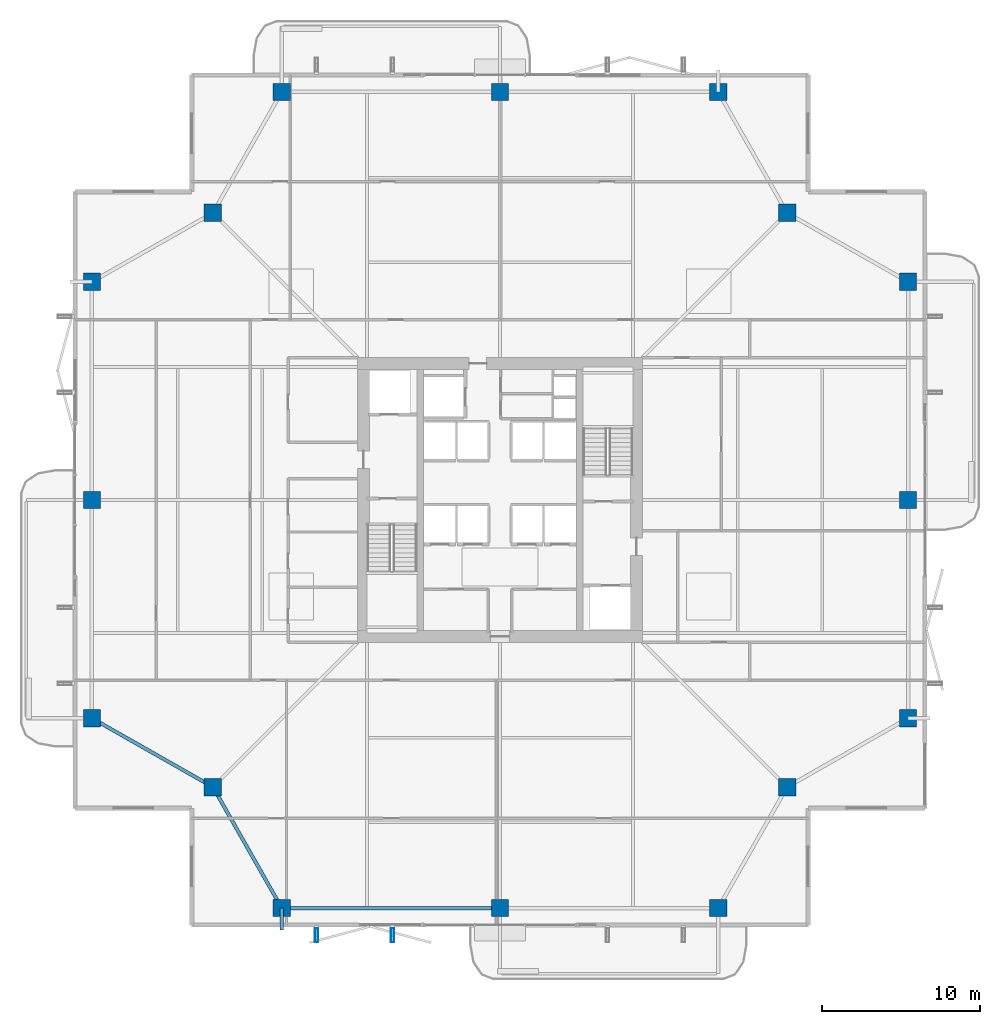
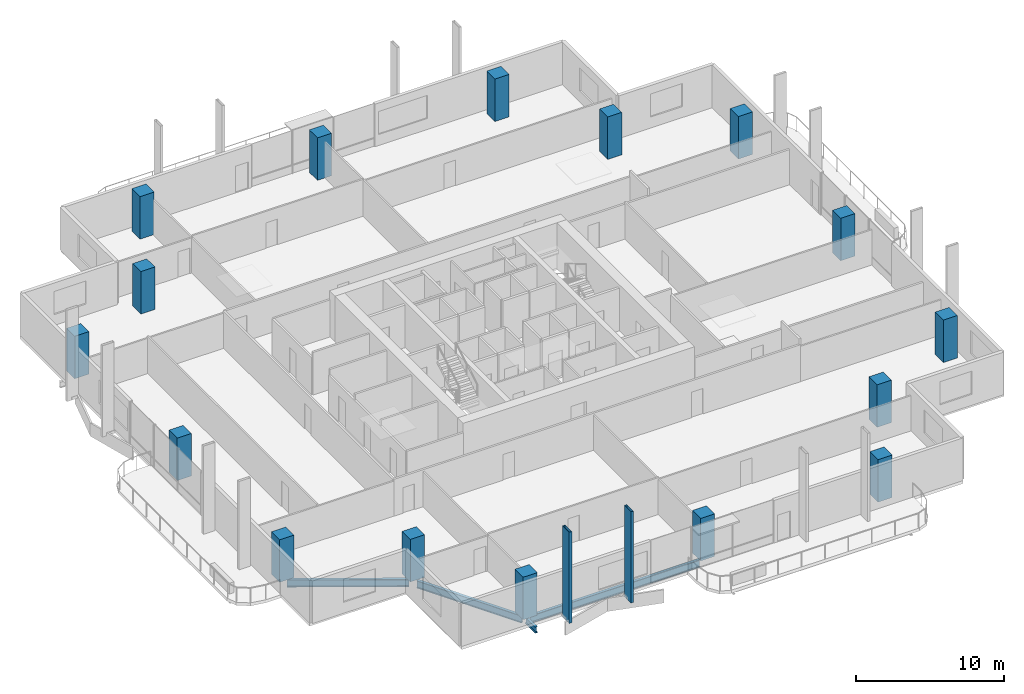
# One storey, part 1 of 24: 16 columns, 4 beams, 2 members.
"""IFC4 building model written with IfcOpenShell, lengths in metres."""

from ifc_helpers import new_model, si_unit, direction, frame, origin, origin_2d, place, context, subcontext, project, spatial, rectangle, hollow_rectangle, i_section, extrude, material, material_profile, profile_set, type_object, element, save


model = new_model("IFC4")

# Units and contexts
model_context = context("Model", 3, precision=1e-05, world=origin(), true_north=direction((0.0, 1.0)))
body_context = subcontext(model_context, "Body", "Model", "MODEL_VIEW")
ifc_project = project(units=[si_unit("LENGTHUNIT", "METRE"), si_unit("AREAUNIT", "SQUARE_METRE"), si_unit("VOLUMEUNIT", "CUBIC_METRE"), si_unit("PLANEANGLEUNIT", "RADIAN"), si_unit("MASSUNIT", "GRAM", prefix="KILO")], contexts=[model_context])

# Site, building, storey
site_placement = place(None, origin())
site = spatial("IfcSite", under=ifc_project, at=site_placement, CompositionType="ELEMENT")
building_placement = place(site_placement, origin())
building = spatial("IfcBuilding", under=site, at=building_placement, Name="Belovzor Exchange Tower", CompositionType="ELEMENT")
storey_placement = place(building_placement, frame((0.0, 0.0, 211.199951171875)))
storey = spatial("IfcBuildingStorey", under=building, at=storey_placement, Name="L52", CompositionType="ELEMENT", Elevation=211.199951171875)

# Columns
ifc_material_1 = material(Name="Concrete C50/60", Category="concrete")
ifc_material_profile_1 = material_profile(ifc_material_1, rectangle(XDim=1.10009765625, YDim=1.10009765625, at=origin_2d()))
ifc_profile_set_1 = profile_set([ifc_material_profile_1], Name="Concrete C50/60")
column_type = type_object("IfcColumnType", Name="Reinforced Concrete Tower Column 1100x1100", PredefinedType="COLUMN", material=ifc_profile_set_1)
for number, where, z_axis, x_axis, name in (
    (1, (15.0, 3.0, 0.0029296875), (0.0, 0.0, 1.0), (1.0, 0.0, 0.0), "COL-T110 Reinforced Concrete Tower Column 1100x1100"),
    (2, (28.800048828125, 3.0, 0.0029296875), (0.0, 0.0, 1.0), (1.0, 0.0, 0.0), "COL-T110 Reinforced Concrete Tower Column 1100x1100"),
    (3, (42.60009765625, 3.0, 0.0029296875), (0.0, 0.0, 1.0), (1.0, 0.0, 0.0), "COL-T110 Reinforced Concrete Tower Column 1100x1100"),
    (4, (54.60009765625, 15.0, 0.0029296875), (0.0, 0.0, 1.0), (1.0, 0.0, 0.0), "COL-T110 Reinforced Concrete Tower Column 1100x1100"),
    (5, (54.60009765625, 28.800048828125, 0.0029296875), (0.0, 0.0, 1.0), (1.0, 0.0, 0.0), "COL-T110 Reinforced Concrete Tower Column 1100x1100"),
    (6, (54.60009765625, 42.60009765625, 0.0029296875), (0.0, 0.0, 1.0), (1.0, 0.0, 0.0), "COL-T110 Reinforced Concrete Tower Column 1100x1100"),
    (7, (42.60009765625, 54.60009765625, 0.0029296875), (0.0, 0.0, 1.0), (1.0, 0.0, 0.0), "COL-T110 Reinforced Concrete Tower Column 1100x1100"),
    (8, (28.800048828125, 54.60009765625, 0.0029296875), (0.0, 0.0, 1.0), (1.0, 0.0, 0.0), "COL-T110 Reinforced Concrete Tower Column 1100x1100"),
    (9, (15.0, 54.60009765625, 0.0029296875), (0.0, 0.0, 1.0), (1.0, 0.0, 0.0), "COL-T110 Reinforced Concrete Tower Column 1100x1100"),
    (10, (3.0, 42.60009765625, 0.0029296875), (0.0, 0.0, 1.0), (1.0, 0.0, 0.0), "COL-T110 Reinforced Concrete Tower Column 1100x1100"),
    (11, (3.0, 28.800048828125, 0.0029296875), (0.0, 0.0, 1.0), (1.0, 0.0, 0.0), "COL-T110 Reinforced Concrete Tower Column 1100x1100"),
    (12, (3.0, 15.0, 0.0029296875), (0.0, 0.0, 1.0), (1.0, 0.0, 0.0), "COL-T110 Reinforced Concrete Tower Column 1100x1100"),
    (13, (10.64990234375, 10.64990234375, 0.0029296875), (0.0, 0.0, 1.0), (1.0, 0.0, 0.0), "COL-T110 Reinforced Concrete Tower Column 1100x1100"),
    (14, (46.949951171875, 10.64990234375, 0.0029296875), (0.0, 0.0, 1.0), (1.0, 0.0, 0.0), "COL-T110 Reinforced Concrete Tower Column 1100x1100"),
    (15, (46.949951171875, 46.949951171875, 0.0029296875), (0.0, 0.0, 1.0), (1.0, 0.0, 0.0), "COL-T110 Reinforced Concrete Tower Column 1100x1100"),
    (16, (10.64990234375, 46.949951171875, 0.0029296875), (0.0, 0.0, 1.0), (1.0, 0.0, 0.0), "COL-T110 Reinforced Concrete Tower Column 1100x1100"),
):
    element("IfcColumn", number, at=place(storey_placement, frame(where, z_axis=z_axis, x_axis=x_axis)), inside=storey, type_object=column_type, Name=name, PredefinedType="COLUMN", context=body_context, shape_type="SweptSolid", body=[
        extrude(rectangle(XDim=1.10009765625, YDim=1.10009765625, at=origin_2d()), origin(), (0.0, 0.0, 1.0), 3.494140625),
    ])

# Beam
ifc_material_2 = material(Name="Steel S355", Category="steel")
ifc_material_profile_2 = material_profile(ifc_material_2, i_section(OverallWidth=0.199951171875, OverallDepth=0.5, WebThickness=0.01025390625, FlangeThickness=0.01611328125, at=origin_2d()))
ifc_profile_set_2 = profile_set([ifc_material_profile_2], Name="Steel S355")
beam_type_1 = type_object("IfcBeamType", Name="Planted Balcony Cantilever Beam IPE 500", PredefinedType="BEAM", material=ifc_profile_set_2)
beam_1_placement = place(storey_placement, frame((15.0, 3.0, -0.5), z_axis=(0.0, -1.0, 0.0), x_axis=(1.0, 0.0, 0.0)))
element("IfcBeam", 17, at=beam_1_placement, inside=storey, type_object=beam_type_1, Name="BC-500 Planted Balcony Cantilever Beam IPE 500", PredefinedType="BEAM", context=body_context, shape_type="SweptSolid", body=[
    extrude(i_section(OverallWidth=0.199951171875, OverallDepth=0.5, WebThickness=0.01025390625, FlangeThickness=0.01611328125, at=origin_2d()), origin(), (0.0, 0.0, 1.0), 1.39990234375),
])

# Members
ifc_material_3 = material(Name="Extruded Architectural Terracotta on Steel S355 Carrier", Category="masonry")
ifc_material_profile_3 = material_profile(ifc_material_3, hollow_rectangle(XDim=0.199951171875, YDim=0.89990234375, WallThickness=0.011962890625, at=origin_2d()))
ifc_profile_set_3 = profile_set([ifc_material_profile_3], Name="Extruded Architectural Terracotta on Steel S355 Carrier")
member_type = type_object("IfcMemberType", Name="Sweeping Terracotta Baguette Fin Assembly 950", PredefinedType="USERDEFINED", material=ifc_profile_set_3)
for number, where, z_axis, x_axis, name in (
    (18, (17.199951171875, 1.27490234375, -0.25), (0.0, 0.0, 1.0), (1.0, 0.0, 0.0), "FIN-TC095 Terracotta Facade Fin L52 S1"),
    (19, (22.0, 1.27490234375, -0.25), (0.0, 0.0, 1.0), (1.0, 0.0, 0.0), "FIN-TC095 Terracotta Facade Fin L52 S2"),
):
    element("IfcMember", number, at=place(storey_placement, frame(where, z_axis=z_axis, x_axis=x_axis)), inside=storey, type_object=member_type, Name=name, ObjectType="FIN", PredefinedType="USERDEFINED", context=body_context, shape_type="SweptSolid", body=[
        extrude(hollow_rectangle(XDim=0.199951171875, YDim=0.89990234375, WallThickness=0.011962890625, at=origin_2d()), origin(), (0.0, 0.0, 1.0), 7.5),
    ])

# Beams
ifc_material_4 = material(Name="Steel S355", Category="steel")
ifc_material_profile_4 = material_profile(ifc_material_4, i_section(OverallWidth=0.219970703125, OverallDepth=0.60009765625, WebThickness=0.011962890625, FlangeThickness=0.01904296875, at=origin_2d()))
ifc_profile_set_4 = profile_set([ifc_material_profile_4], Name="Steel S355")
beam_type_2 = type_object("IfcBeamType", Name="Zone 4 Flare Primary Girder IPE 600", PredefinedType="BEAM", material=ifc_profile_set_4)
beam_2_placement = place(storey_placement, frame((10.800048828125, 10.386962890625, -0.550048828125), z_axis=(0.494222323641, -0.869335547884, 0.0), x_axis=(0.869335547884, 0.494222323641, 0.0)))
element("IfcBeam", 20, at=beam_2_placement, inside=storey, type_object=beam_type_2, Name="FG-Z4 Zone 4 Flare Primary Girder IPE 600", PredefinedType="BEAM", context=body_context, shape_type="SweptSolid", body=[
    extrude(i_section(OverallWidth=0.219970703125, OverallDepth=0.60009765625, WebThickness=0.011962890625, FlangeThickness=0.01904296875, at=origin_2d()), origin(), (0.0, 0.0, 1.0), 8.19482421875),
])
beam_3_placement = place(storey_placement, frame((15.302978515625, 3.0, -0.550048828125), z_axis=(1.0, 0.0, 0.0), x_axis=(0.0, 1.0, 0.0)))
element("IfcBeam", 21, at=beam_3_placement, inside=storey, type_object=beam_type_2, Name="FG-Z4 Zone 4 Flare Primary Girder IPE 600", PredefinedType="BEAM", context=body_context, shape_type="SweptSolid", body=[
    extrude(i_section(OverallWidth=0.219970703125, OverallDepth=0.60009765625, WebThickness=0.011962890625, FlangeThickness=0.01904296875, at=origin_2d()), origin(), (0.0, 0.0, 1.0), 13.195068359375),
])
beam_4_placement = place(storey_placement, frame((3.262939453125, 14.85009765625, -0.550048828125), z_axis=(0.869335547884, -0.494222323641, 0.0), x_axis=(0.494222323641, 0.869335547884, 0.0)))
element("IfcBeam", 22, at=beam_4_placement, inside=storey, type_object=beam_type_2, Name="FG-Z4 Zone 4 Flare Primary Girder IPE 600", PredefinedType="BEAM", context=body_context, shape_type="SweptSolid", body=[
    extrude(i_section(OverallWidth=0.219970703125, OverallDepth=0.60009765625, WebThickness=0.011962890625, FlangeThickness=0.01904296875, at=origin_2d()), origin(), (0.0, 0.0, 1.0), 8.19482421875),
])

save(model, "model.ifc")
